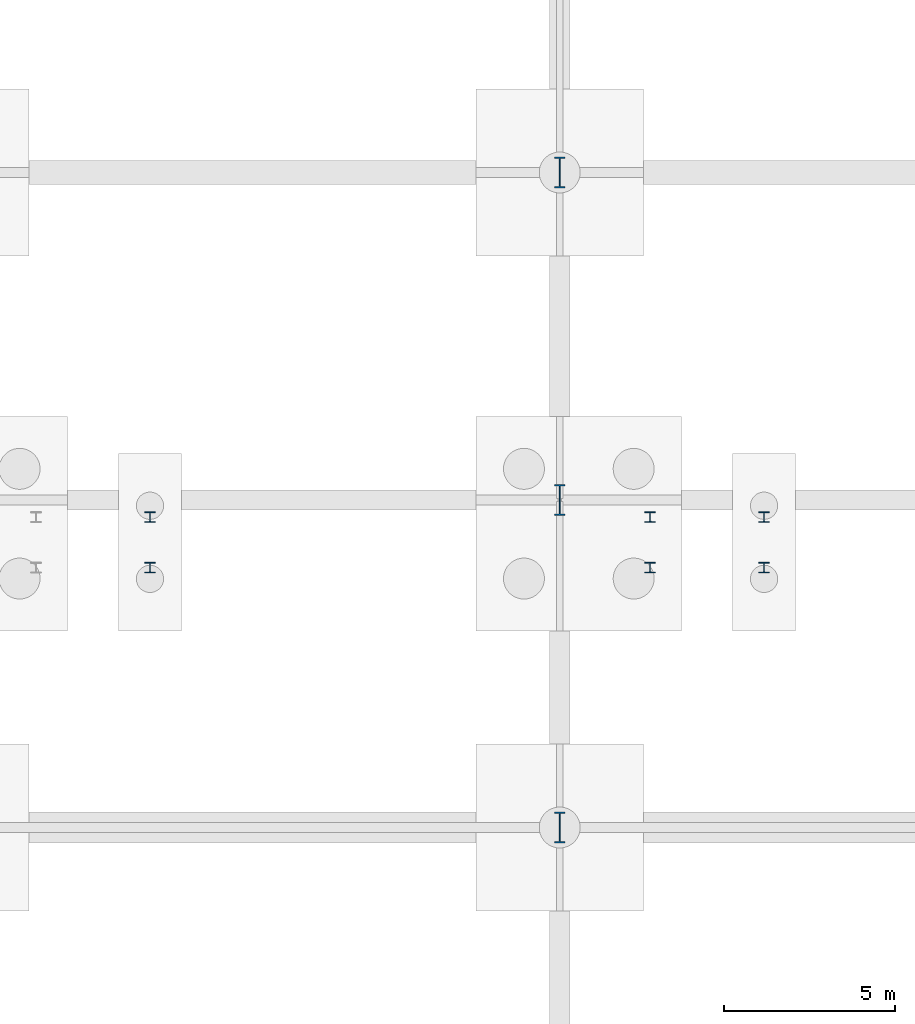
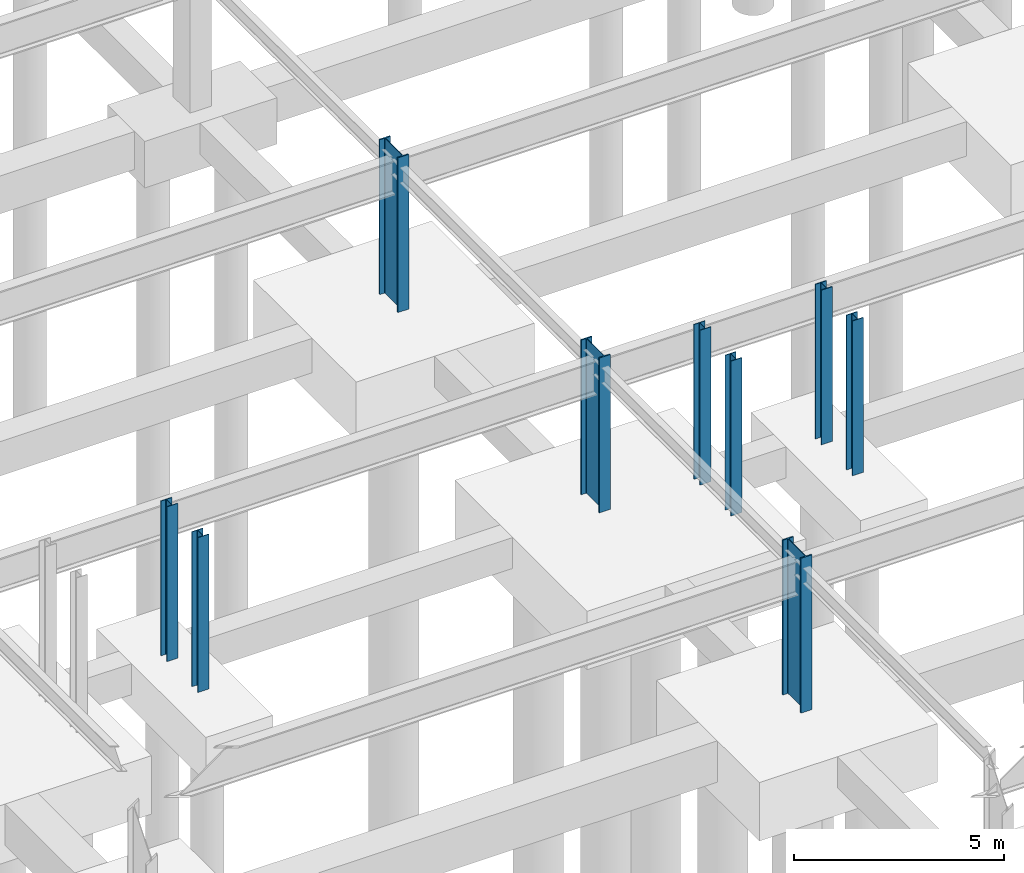
# One storey, part 17 of 59: 9 columns.
"""IFC4 building model written with IfcOpenShell, lengths in metres."""

from ifc_helpers import new_model, si_unit, direction, frame, origin, origin_2d, place, context, subcontext, project, spatial, i_section, extrude, material, material_profile, profile_set, type_object, element, save


model = new_model("IFC4")

# Units and contexts
model_context = context("Model", 3, precision=1e-05, world=origin(), true_north=direction((0.0, 1.0)))
body_context = subcontext(model_context, "Body", "Model", "MODEL_VIEW")
ifc_project = project(units=[si_unit("LENGTHUNIT", "METRE"), si_unit("AREAUNIT", "SQUARE_METRE"), si_unit("VOLUMEUNIT", "CUBIC_METRE"), si_unit("PLANEANGLEUNIT", "RADIAN"), si_unit("MASSUNIT", "GRAM", prefix="KILO")], contexts=[model_context])

# Site, building, storey
site_placement = place(None, origin())
site = spatial("IfcSite", under=ifc_project, at=site_placement, CompositionType="ELEMENT")
building_placement = place(site_placement, origin())
building = spatial("IfcBuilding", under=site, at=building_placement, Name="Myrtia Square Station", CompositionType="ELEMENT")
storey_placement = place(building_placement, frame((0.0, 0.0, -4.5)))
storey = spatial("IfcBuildingStorey", under=building, at=storey_placement, Name="B01", CompositionType="ELEMENT", Elevation=-4.5)

# Columns
ifc_material = material(Name="Steel S355", Category="steel")
ifc_material_profile_1 = material_profile(ifc_material, i_section(OverallWidth=0.300048828125, OverallDepth=0.300048828125, WebThickness=0.010986328125, FlangeThickness=0.01904296875, FilletRadius=0.027099609375, at=origin_2d()), Name="HEB 300")
ifc_profile_set_1 = profile_set([ifc_material_profile_1], Name="Steel S355")
column_type_1 = type_object("IfcColumnType", Name="COL-HEB300", PredefinedType="COLUMN", material=ifc_profile_set_1)
for number, where, z_axis, x_axis, name in (
    (1, (32.989990234375, 76.300048828125, 0.0), (0.0, 0.0, 1.0), (1.0, 0.0, 0.0), "Interchange stair substructure post 2-EN"),
    (2, (32.989990234375, 74.820068359375, 0.0), (0.0, 0.0, 1.0), (1.0, 0.0, 0.0), "Interchange stair substructure post 2-ES"),
    (3, (47.64990234375, 76.300048828125, 0.0), (0.0, 0.0, 1.0), (1.0, 0.0, 0.0), "Interchange stair substructure post 3-WN"),
    (4, (47.64990234375, 74.820068359375, 0.0), (0.0, 0.0, 1.0), (1.0, 0.0, 0.0), "Interchange stair substructure post 3-WS"),
    (5, (50.989990234375, 76.300048828125, 0.0), (0.0, 0.0, 1.0), (1.0, 0.0, 0.0), "Interchange stair substructure post 3-EN"),
    (6, (50.989990234375, 74.820068359375, 0.0), (0.0, 0.0, 1.0), (1.0, 0.0, 0.0), "Interchange stair substructure post 3-ES"),
):
    element("IfcColumn", number, at=place(storey_placement, frame(where, z_axis=z_axis, x_axis=x_axis)), inside=storey, type_object=column_type_1, Name=name, PredefinedType="COLUMN", context=body_context, shape_type="SweptSolid", body=[
        extrude(i_section(OverallWidth=0.300048828125, OverallDepth=0.300048828125, WebThickness=0.010986328125, FlangeThickness=0.01904296875, FilletRadius=0.027099609375, at=origin_2d()), origin(), (0.0, 0.0, 1.0), 4.5),
    ])
ifc_material_profile_2 = material_profile(ifc_material, i_section(OverallWidth=0.300048828125, OverallDepth=0.89990234375, WebThickness=0.0185546875, FlangeThickness=0.034912109375, FilletRadius=0.030029296875, at=origin_2d()), Name="HEB 900")
ifc_profile_set_2 = profile_set([ifc_material_profile_2], Name="Steel S355")
column_type_2 = type_object("IfcColumnType", Name="COL-HEB900", PredefinedType="COLUMN", material=ifc_profile_set_2)
for number, where, z_axis, x_axis, name in (
    (7, (45.0, 67.199951171875, 0.0), (0.0, 0.0, 1.0), (1.0, 0.0, 0.0), "Column B01-0136"),
    (8, (45.0, 76.800048828125, 0.0), (0.0, 0.0, 1.0), (1.0, 0.0, 0.0), "Column B01-0139"),
    (9, (45.0, 86.39990234375, 0.0), (0.0, 0.0, 1.0), (1.0, 0.0, 0.0), "Column B01-0142"),
):
    element("IfcColumn", number, at=place(storey_placement, frame(where, z_axis=z_axis, x_axis=x_axis)), inside=storey, type_object=column_type_2, Name=name, PredefinedType="COLUMN", context=body_context, shape_type="SweptSolid", body=[
        extrude(i_section(OverallWidth=0.300048828125, OverallDepth=0.89990234375, WebThickness=0.0185546875, FlangeThickness=0.034912109375, FilletRadius=0.030029296875, at=origin_2d()), origin(), (0.0, 0.0, 1.0), 4.5),
    ])

save(model, "model.ifc")
